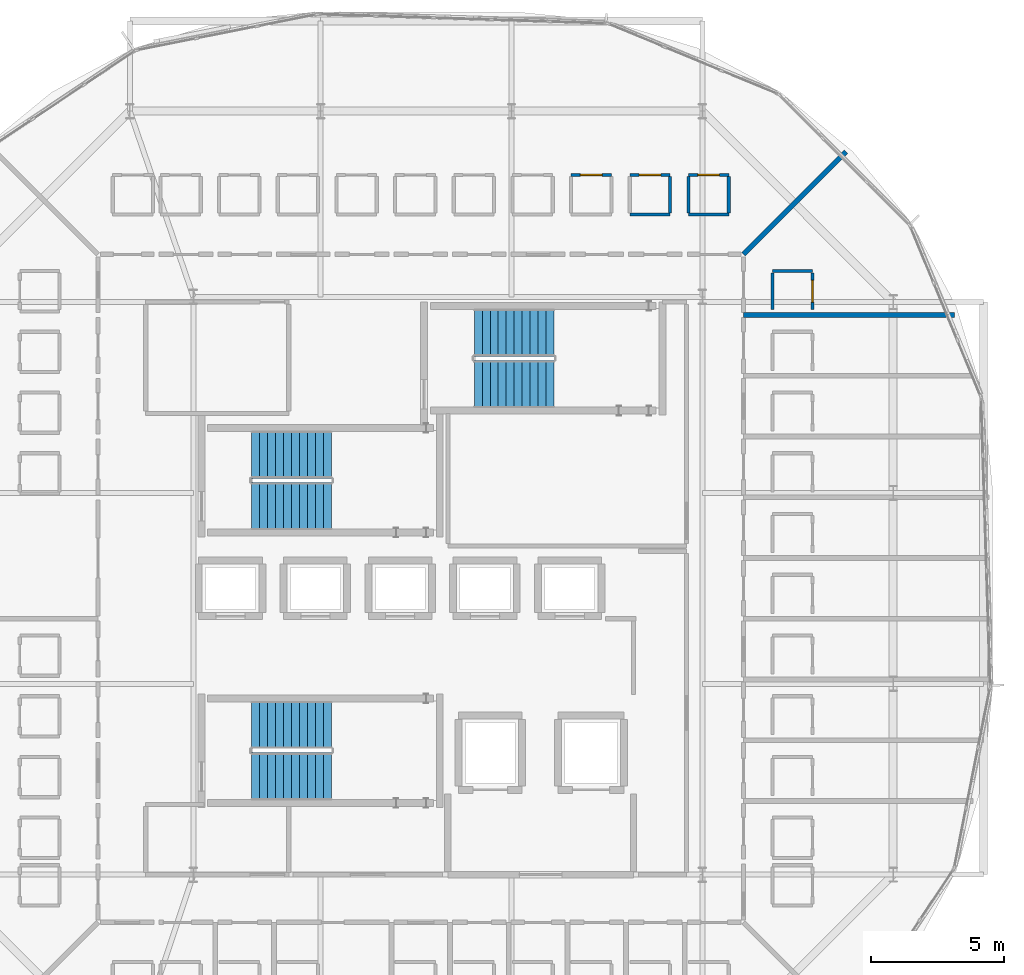
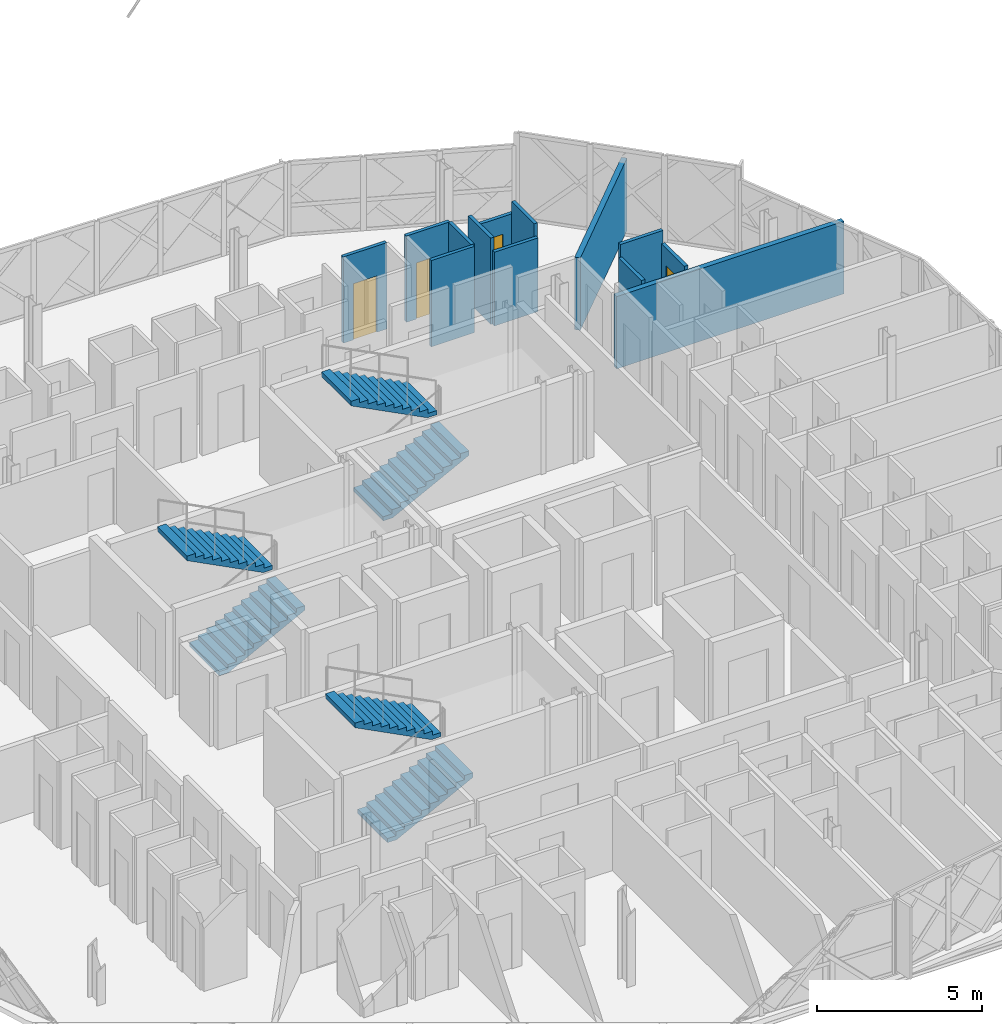
# One storey, part 45 of 50: 13 walls, 6 stair flights, 4 doors, 4 openings, 3 elements without a shape of their own.
"""IFC4 building model written with IfcOpenShell, lengths in metres."""

from ifc_helpers import new_model, si_unit, direction, frame, frame_2d, origin, place, context, subcontext, project, spatial, polyline, rectangle, outline, extrude, material, layer, layer_set, type_object, element, fill, aggregate, save


model = new_model("IFC4")

# Units and contexts
model_context = context("Model", 3, precision=1e-05, world=origin(), true_north=direction((0.0, 1.0)))
body_context = subcontext(model_context, "Body", "Model", "MODEL_VIEW")
ifc_project = project(units=[si_unit("LENGTHUNIT", "METRE"), si_unit("AREAUNIT", "SQUARE_METRE"), si_unit("VOLUMEUNIT", "CUBIC_METRE"), si_unit("PLANEANGLEUNIT", "RADIAN"), si_unit("MASSUNIT", "GRAM", prefix="KILO")], contexts=[model_context])

# Site, building, storey
site_placement = place(None, origin())
site = spatial("IfcSite", under=ifc_project, at=site_placement, CompositionType="ELEMENT")
building_placement = place(site_placement, origin())
building = spatial("IfcBuilding", under=site, at=building_placement, Name="Zevrakil Square Congress Hotel", CompositionType="ELEMENT")
storey_placement = place(building_placement, frame((0.0, 0.0, 21.5)))
storey = spatial("IfcBuildingStorey", under=building, at=storey_placement, Name="L06", CompositionType="ELEMENT", Elevation=21.5)

# Walls
ifc_material_1 = material(Name="Moisture-Resistant Gypsum Partition")
ifc_layer_1 = layer(ifc_material_1, 0.1201171875)
ifc_layer_set_1 = layer_set([ifc_layer_1], Name="Moisture-Resistant Gypsum Partition")
wall_type_1 = type_object("IfcWallType", Name="WAL-ENS-120", PredefinedType="PARTITIONING", material=ifc_layer_set_1)
wall_1_placement = place(storey_placement, frame((158.64990234375, 39.569091796875, 0.0), z_axis=(0.0, 0.0, 1.0), x_axis=(1.0, 0.0, 0.0)))
element("IfcWall", 1, at=wall_1_placement, inside=storey, type_object=wall_type_1, Name="L06 interior partition PW-L06-0813", PredefinedType="PARTITIONING", context=body_context, shape_type="SweptSolid", body=[
    extrude(rectangle(XDim=1.5, YDim=0.1201171875, at=frame_2d((0.75, 0.0))), origin(), (0.0, 0.0, 1.0), 3.195068359375),
])
wall_2_placement = place(storey_placement, frame((158.64990234375, 38.114013671875, 0.0), z_axis=(0.0, 0.0, 1.0), x_axis=(0.0, 1.0, 0.0)))
element("IfcWall", 2, at=wall_2_placement, inside=storey, type_object=wall_type_1, Name="L06 interior partition PW-L06-0814", PredefinedType="PARTITIONING", context=body_context, shape_type="SweptSolid", body=[
    extrude(rectangle(XDim=1.39013671875, YDim=0.1201171875, at=frame_2d((0.695068359375, 0.0))), origin(), (0.0, 0.0, 1.0), 2.72998046875),
])

# Wall, opening, door
wall_3_placement = place(storey_placement, frame((160.14990234375, 38.114013671875, 0.0), z_axis=(0.0, 0.0, 1.0), x_axis=(0.0, 1.0, 0.0)))
wall_3 = element("IfcWall", 3, at=wall_3_placement, inside=storey, type_object=wall_type_1, Name="L06 interior partition PW-L06-0815", PredefinedType="PARTITIONING", context=body_context, shape_type="SweptSolid", body=[
    extrude(rectangle(XDim=1.39013671875, YDim=0.1201171875, at=frame_2d((0.695068359375, 0.0))), origin(), (0.0, 0.0, 1.0), 2.72998046875),
])
opening_1_placement = place(wall_3_placement, frame((0.284912109375, 0.0, 0.0)))
opening_1 = element("IfcOpeningElement", 4, at=opening_1_placement, cuts=wall_3, Name="Opening ID-11", PredefinedType="OPENING", context=body_context, shape_type="SweptSolid", body=[
    extrude(rectangle(XDim=0.820068359375, YDim=2.080078125, at=frame_2d((0.41015625, 1.0400390625))), frame((0.0, 0.070068359375, 0.0), z_axis=(0.0, -1.0, 0.0), x_axis=(1.0, 0.0, 0.0)), (0.0, 0.0, 1.0), 0.14013671875),
])
ifc_material_2 = material(Name="Acoustic Timber Door", Category="wood")
door_type = type_object("IfcDoorType", Name="DOR-INT-V01", OperationType="NOTDEFINED", PredefinedType="DOOR", material=ifc_material_2)
door_1_placement = place(opening_1_placement, origin())
door_1 = element("IfcDoor", 5, at=door_1_placement, inside=storey, type_object=door_type, Name="L06 interior door 322", OperationType="SINGLE_SWING_RIGHT", OverallHeight=2.080078125, OverallWidth=0.820068359375, PredefinedType="DOOR", context=body_context, shape_type="SweptSolid", body=[
    extrude(rectangle(XDim=0.820068359375, YDim=2.080078125, at=frame_2d((0.41015625, 1.0400390625))), frame((0.0, 0.02490234375, 0.0), z_axis=(0.0, -1.0, 0.0), x_axis=(1.0, 0.0, 0.0)), (0.0, 0.0, 1.0), 0.050048828125),
])
fill(opening_1, door_1)

# Wall
wall_4_placement = place(storey_placement, frame((155.476318359375, 41.699951171875, 0.0), z_axis=(0.0, 0.0, 1.0), x_axis=(1.0, 0.0, 0.0)))
element("IfcWall", 6, at=wall_4_placement, inside=storey, type_object=wall_type_1, Name="L06 interior partition PW-L06-0818", PredefinedType="PARTITIONING", context=body_context, shape_type="SweptSolid", body=[
    extrude(rectangle(XDim=1.52001953125, YDim=0.1201171875, at=frame_2d((0.760009765625, 0.0))), origin(), (0.0, 0.0, 1.0), 2.72998046875),
])

# Wall, opening, door
wall_5_placement = place(storey_placement, frame((155.476318359375, 43.199951171875, 0.0), z_axis=(0.0, 0.0, 1.0), x_axis=(1.0, 0.0, 0.0)))
wall_5 = element("IfcWall", 7, at=wall_5_placement, inside=storey, type_object=wall_type_1, Name="L06 interior partition PW-L06-0819", PredefinedType="PARTITIONING", context=body_context, shape_type="SweptSolid", body=[
    extrude(rectangle(XDim=1.52001953125, YDim=0.1201171875, at=frame_2d((0.760009765625, 0.0))), origin(), (0.0, 0.0, 1.0), 2.72998046875),
])
opening_2_placement = place(wall_5_placement, frame((0.35009765625, 0.0, 0.0)))
opening_2 = element("IfcOpeningElement", 8, at=opening_2_placement, cuts=wall_5, Name="Opening ID-11", PredefinedType="OPENING", context=body_context, shape_type="SweptSolid", body=[
    extrude(rectangle(XDim=0.820068359375, YDim=2.080078125, at=frame_2d((0.41015625, 1.0400390625))), frame((0.0, 0.070068359375, 0.0), z_axis=(0.0, -1.0, 0.0), x_axis=(1.0, 0.0, 0.0)), (0.0, 0.0, 1.0), 0.14013671875),
])
door_2_placement = place(opening_2_placement, origin())
door_2 = element("IfcDoor", 9, at=door_2_placement, inside=storey, type_object=door_type, Name="L06 interior door 324", OperationType="SINGLE_SWING_RIGHT", OverallHeight=2.080078125, OverallWidth=0.820068359375, PredefinedType="DOOR", context=body_context, shape_type="SweptSolid", body=[
    extrude(rectangle(XDim=0.820068359375, YDim=2.080078125, at=frame_2d((0.41015625, 1.0400390625))), frame((0.0, 0.02490234375, 0.0), z_axis=(0.0, -1.0, 0.0), x_axis=(1.0, 0.0, 0.0)), (0.0, 0.0, 1.0), 0.050048828125),
])
fill(opening_2, door_2)

# Walls
for number, where, z_axis, x_axis, name in (
    (10, (155.476318359375, 41.764892578125, 0.0), (0.0, 0.0, 1.0), (0.0, 1.0, 0.0), "L06 interior partition PW-L06-0820"),
    (11, (156.996337890625, 41.764892578125, 0.0), (0.0, 0.0, 1.0), (0.0, 1.0, 0.0), "L06 interior partition PW-L06-0821"),
):
    element("IfcWall", number, at=place(storey_placement, frame(where, z_axis=z_axis, x_axis=x_axis)), inside=storey, type_object=wall_type_1, Name=name, PredefinedType="PARTITIONING", context=body_context, shape_type="SweptSolid", body=[
        extrude(rectangle(XDim=1.3701171875, YDim=0.1201171875, at=frame_2d((0.68505859375, 0.0))), origin(), (0.0, 0.0, 1.0), 3.195068359375),
    ])
wall_6_placement = place(storey_placement, frame((153.2626953125, 41.699951171875, 0.0), z_axis=(0.0, 0.0, 1.0), x_axis=(1.0, 0.0, 0.0)))
element("IfcWall", 12, at=wall_6_placement, inside=storey, type_object=wall_type_1, Name="L06 interior partition PW-L06-0823", PredefinedType="PARTITIONING", context=body_context, shape_type="SweptSolid", body=[
    extrude(rectangle(XDim=1.52001953125, YDim=0.1201171875, at=frame_2d((0.760009765625, 0.0))), origin(), (0.0, 0.0, 1.0), 3.195068359375),
])

# Wall, opening, door
wall_7_placement = place(storey_placement, frame((153.2626953125, 43.199951171875, 0.0), z_axis=(0.0, 0.0, 1.0), x_axis=(1.0, 0.0, 0.0)))
wall_7 = element("IfcWall", 13, at=wall_7_placement, inside=storey, type_object=wall_type_1, Name="L06 interior partition PW-L06-0824", PredefinedType="PARTITIONING", context=body_context, shape_type="SweptSolid", body=[
    extrude(rectangle(XDim=1.52001953125, YDim=0.1201171875, at=frame_2d((0.760009765625, 0.0))), origin(), (0.0, 0.0, 1.0), 3.195068359375),
])
opening_3_placement = place(wall_7_placement, frame((0.35009765625, 0.0, 0.0)))
opening_3 = element("IfcOpeningElement", 14, at=opening_3_placement, cuts=wall_7, Name="Opening ID-11", PredefinedType="OPENING", context=body_context, shape_type="SweptSolid", body=[
    extrude(rectangle(XDim=0.820068359375, YDim=2.080078125, at=frame_2d((0.41015625, 1.0400390625))), frame((0.0, 0.070068359375, 0.0), z_axis=(0.0, -1.0, 0.0), x_axis=(1.0, 0.0, 0.0)), (0.0, 0.0, 1.0), 0.14013671875),
])
door_3_placement = place(opening_3_placement, origin())
door_3 = element("IfcDoor", 15, at=door_3_placement, inside=storey, type_object=door_type, Name="L06 interior door 326", OperationType="SINGLE_SWING_RIGHT", OverallHeight=2.080078125, OverallWidth=0.820068359375, PredefinedType="DOOR", context=body_context, shape_type="SweptSolid", body=[
    extrude(rectangle(XDim=0.820068359375, YDim=2.080078125, at=frame_2d((0.41015625, 1.0400390625))), frame((0.0, 0.02490234375, 0.0), z_axis=(0.0, -1.0, 0.0), x_axis=(1.0, 0.0, 0.0)), (0.0, 0.0, 1.0), 0.050048828125),
])
fill(opening_3, door_3)

# Wall
wall_8_placement = place(storey_placement, frame((154.78271484375, 41.764892578125, 0.0), z_axis=(0.0, 0.0, 1.0), x_axis=(0.0, 1.0, 0.0)))
element("IfcWall", 16, at=wall_8_placement, inside=storey, type_object=wall_type_1, Name="L06 interior partition PW-L06-0826", PredefinedType="PARTITIONING", context=body_context, shape_type="SweptSolid", body=[
    extrude(rectangle(XDim=1.3701171875, YDim=0.1201171875, at=frame_2d((0.68505859375, 0.0))), origin(), (0.0, 0.0, 1.0), 3.195068359375),
])

# Wall, opening, door
wall_9_placement = place(storey_placement, frame((151.049072265625, 43.199951171875, 0.0), z_axis=(0.0, 0.0, 1.0), x_axis=(1.0, 0.0, 0.0)))
wall_9 = element("IfcWall", 17, at=wall_9_placement, inside=storey, type_object=wall_type_1, Name="L06 interior partition PW-L06-0829", PredefinedType="PARTITIONING", context=body_context, shape_type="SweptSolid", body=[
    extrude(rectangle(XDim=1.52001953125, YDim=0.1201171875, at=frame_2d((0.760009765625, 0.0))), origin(), (0.0, 0.0, 1.0), 3.195068359375),
])
opening_4_placement = place(wall_9_placement, frame((0.35009765625, 0.0, 0.0)))
opening_4 = element("IfcOpeningElement", 18, at=opening_4_placement, cuts=wall_9, Name="Opening ID-11", PredefinedType="OPENING", context=body_context, shape_type="SweptSolid", body=[
    extrude(rectangle(XDim=0.820068359375, YDim=2.080078125, at=frame_2d((0.41015625, 1.0400390625))), frame((0.0, 0.070068359375, 0.0), z_axis=(0.0, -1.0, 0.0), x_axis=(1.0, 0.0, 0.0)), (0.0, 0.0, 1.0), 0.14013671875),
])
door_4_placement = place(opening_4_placement, origin())
door_4 = element("IfcDoor", 19, at=door_4_placement, inside=storey, type_object=door_type, Name="L06 interior door 328", OperationType="SINGLE_SWING_RIGHT", OverallHeight=2.080078125, OverallWidth=0.820068359375, PredefinedType="DOOR", context=body_context, shape_type="SweptSolid", body=[
    extrude(rectangle(XDim=0.820068359375, YDim=2.080078125, at=frame_2d((0.41015625, 1.0400390625))), frame((0.0, 0.02490234375, 0.0), z_axis=(0.0, -1.0, 0.0), x_axis=(1.0, 0.0, 0.0)), (0.0, 0.0, 1.0), 0.050048828125),
])
fill(opening_4, door_4)

# Walls
ifc_material_3 = material(Name="Gypsum Twin-Stud Party Partition")
ifc_layer_2 = layer(ifc_material_3, 0.179931640625)
ifc_layer_set_2 = layer_set([ifc_layer_2], Name="Gypsum Twin-Stud Party Partition")
wall_type_2 = type_object("IfcWallType", Name="WAL-PARTY-180", PredefinedType="PARTITIONING", material=ifc_layer_set_2)
wall_10_placement = place(storey_placement, frame((157.550048828125, 37.9091796875, 0.0), z_axis=(0.0, 0.0, 1.0), x_axis=(1.0, 0.0, 0.0)))
element("IfcWall", 20, at=wall_10_placement, inside=storey, type_object=wall_type_2, Name="L06 interior partition PW-L06-0811", PredefinedType="PARTITIONING", context=body_context, shape_type="SweptSolid", body=[
    extrude(rectangle(XDim=7.965576171875, YDim=0.179931640625, at=frame_2d((3.98291015625, 0.0))), origin(), (0.0, 0.0, 1.0), 2.679931640625),
])
wall_11_placement = place(storey_placement, frame((157.550048828125, 40.199951171875, 0.0), z_axis=(0.0, 0.0, 1.0), x_axis=(0.707106781187, 0.707106781187, 0.0)))
element("IfcWall", 21, at=wall_11_placement, inside=storey, type_object=wall_type_2, Name="L06 interior partition PW-L06-0816", PredefinedType="PARTITIONING", context=body_context, shape_type="SweptSolid", body=[
    extrude(rectangle(XDim=5.474609375, YDim=0.179931640625, at=frame_2d((2.7373046875, 0.0))), origin(), (0.0, 0.0, 1.0), 2.679931640625),
])

# Stair, stair flights
ifc_material_4 = material(Name="Concrete C35/45", Category="concrete")
stair_type = type_object("IfcStairType", Name="STR-DOGLEG-180", PredefinedType="HALF_TURN_STAIR", material=ifc_material_4)
stair_1_placement = place(storey_placement, origin())
stair_1 = element("IfcStair", 22, at=stair_1_placement, inside=storey, type_object=stair_type, Name="L06 Protected exit stair ST01", PredefinedType="HALF_TURN_STAIR")
ifc_material_5 = material(Name="Concrete C35/45", Category="concrete")
ifc_layer_3 = layer(ifc_material_5, 0.159912109375)
ifc_layer_set_3 = layer_set([ifc_layer_3], Name="Concrete C35/45")
stair_flight_type = type_object("IfcStairFlightType", Name="SFL-STRAIGHT-180", PredefinedType="STRAIGHT", material=ifc_layer_set_3)
stair_flight_1_placement = place(storey_placement, frame((139.0, 20.5, 0.0), z_axis=(0.0, 0.0, 1.0), x_axis=(1.0, 0.0, 0.0)))
stair_flight_1 = element("IfcStairFlight", 23, at=stair_flight_1_placement, type_object=stair_flight_type, Name="ST01 flight 1", NumberOfRisers=11, NumberOfTreads=10, PredefinedType="STRAIGHT", RiserHeight=0.154545455, TreadLength=0.3, context=body_context, shape_type="SweptSolid", body=[
    extrude(outline(polyline([(0.0, 0.0), (0.0, 0.154541015625), (0.300048828125, 0.154541015625), (0.300048828125, 0.30908203125), (0.60009765625, 0.30908203125), (0.60009765625, 0.463623046875), (0.89990234375, 0.463623046875), (0.89990234375, 0.6181640625), (1.199951171875, 0.6181640625), (1.199951171875, 0.772705078125), (1.5, 0.772705078125), (1.5, 0.92724609375), (1.800048828125, 0.92724609375), (1.800048828125, 1.081787109375), (2.10009765625, 1.081787109375), (2.10009765625, 1.236328125), (2.39990234375, 1.236328125), (2.39990234375, 1.390869140625), (2.699951171875, 1.390869140625), (2.699951171875, 1.54541015625), (3.0, 1.54541015625), (3.0, 1.699951171875), (3.0, 1.376708984375), (0.327392578125, 0.0), (0.0, 0.0)])), frame((0.0, 0.89990234375, 0.0), z_axis=(0.0, -1.0, 0.0), x_axis=(1.0, 0.0, 0.0)), (0.0, 0.0, 1.0), 1.800048828125),
])
stair_flight_2_placement = place(storey_placement, frame((142.0, 22.449951171875, 1.699951171875), z_axis=(0.0, 0.0, 1.0), x_axis=(-1.0, 0.0, 0.0)))
stair_flight_2 = element("IfcStairFlight", 24, at=stair_flight_2_placement, type_object=stair_flight_type, Name="ST01 flight 2", NumberOfRisers=11, NumberOfTreads=10, PredefinedType="STRAIGHT", RiserHeight=0.154545455, TreadLength=0.3, context=body_context, shape_type="SweptSolid", body=[
    extrude(outline(polyline([(0.0, 0.0), (0.0, 0.154541015625), (0.300048828125, 0.154541015625), (0.300048828125, 0.30908203125), (0.60009765625, 0.30908203125), (0.60009765625, 0.463623046875), (0.89990234375, 0.463623046875), (0.89990234375, 0.6181640625), (1.199951171875, 0.6181640625), (1.199951171875, 0.772705078125), (1.5, 0.772705078125), (1.5, 0.92724609375), (1.800048828125, 0.92724609375), (1.800048828125, 1.081787109375), (2.10009765625, 1.081787109375), (2.10009765625, 1.236328125), (2.39990234375, 1.236328125), (2.39990234375, 1.390869140625), (2.699951171875, 1.390869140625), (2.699951171875, 1.54541015625), (3.0, 1.54541015625), (3.0, 1.699951171875), (3.0, 1.376708984375), (0.327392578125, 0.0), (0.0, 0.0)])), frame((0.0, 0.89990234375, 0.0), z_axis=(0.0, -1.0, 0.0), x_axis=(1.0, 0.0, 0.0)), (0.0, 0.0, 1.0), 1.800048828125),
])
aggregate(stair_1, [stair_flight_1, stair_flight_2])

stair_2_placement = place(storey_placement, origin())
stair_2 = element("IfcStair", 25, at=stair_2_placement, inside=storey, type_object=stair_type, Name="L06 Protected exit stair ST02", PredefinedType="HALF_TURN_STAIR")
stair_flight_3_placement = place(storey_placement, frame((139.0, 30.699951171875, 0.0), z_axis=(0.0, 0.0, 1.0), x_axis=(1.0, 0.0, 0.0)))
stair_flight_3 = element("IfcStairFlight", 26, at=stair_flight_3_placement, type_object=stair_flight_type, Name="ST02 flight 1", NumberOfRisers=11, NumberOfTreads=10, PredefinedType="STRAIGHT", RiserHeight=0.154545455, TreadLength=0.3, context=body_context, shape_type="SweptSolid", body=[
    extrude(outline(polyline([(0.0, 0.0), (0.0, 0.154541015625), (0.300048828125, 0.154541015625), (0.300048828125, 0.30908203125), (0.60009765625, 0.30908203125), (0.60009765625, 0.463623046875), (0.89990234375, 0.463623046875), (0.89990234375, 0.6181640625), (1.199951171875, 0.6181640625), (1.199951171875, 0.772705078125), (1.5, 0.772705078125), (1.5, 0.92724609375), (1.800048828125, 0.92724609375), (1.800048828125, 1.081787109375), (2.10009765625, 1.081787109375), (2.10009765625, 1.236328125), (2.39990234375, 1.236328125), (2.39990234375, 1.390869140625), (2.699951171875, 1.390869140625), (2.699951171875, 1.54541015625), (3.0, 1.54541015625), (3.0, 1.699951171875), (3.0, 1.376708984375), (0.327392578125, 0.0), (0.0, 0.0)])), frame((0.0, 0.89990234375, 0.0), z_axis=(0.0, -1.0, 0.0), x_axis=(1.0, 0.0, 0.0)), (0.0, 0.0, 1.0), 1.800048828125),
])
stair_flight_4_placement = place(storey_placement, frame((142.0, 32.64990234375, 1.699951171875), z_axis=(0.0, 0.0, 1.0), x_axis=(-1.0, 0.0, 0.0)))
stair_flight_4 = element("IfcStairFlight", 27, at=stair_flight_4_placement, type_object=stair_flight_type, Name="ST02 flight 2", NumberOfRisers=11, NumberOfTreads=10, PredefinedType="STRAIGHT", RiserHeight=0.154545455, TreadLength=0.3, context=body_context, shape_type="SweptSolid", body=[
    extrude(outline(polyline([(0.0, 0.0), (0.0, 0.154541015625), (0.300048828125, 0.154541015625), (0.300048828125, 0.30908203125), (0.60009765625, 0.30908203125), (0.60009765625, 0.463623046875), (0.89990234375, 0.463623046875), (0.89990234375, 0.6181640625), (1.199951171875, 0.6181640625), (1.199951171875, 0.772705078125), (1.5, 0.772705078125), (1.5, 0.92724609375), (1.800048828125, 0.92724609375), (1.800048828125, 1.081787109375), (2.10009765625, 1.081787109375), (2.10009765625, 1.236328125), (2.39990234375, 1.236328125), (2.39990234375, 1.390869140625), (2.699951171875, 1.390869140625), (2.699951171875, 1.54541015625), (3.0, 1.54541015625), (3.0, 1.699951171875), (3.0, 1.376708984375), (0.327392578125, 0.0), (0.0, 0.0)])), frame((0.0, 0.89990234375, 0.0), z_axis=(0.0, -1.0, 0.0), x_axis=(1.0, 0.0, 0.0)), (0.0, 0.0, 1.0), 1.800048828125),
])
aggregate(stair_2, [stair_flight_3, stair_flight_4])

stair_3_placement = place(storey_placement, origin())
stair_3 = element("IfcStair", 28, at=stair_3_placement, inside=storey, type_object=stair_type, Name="L06 Protected exit stair ST03", PredefinedType="HALF_TURN_STAIR")
stair_flight_5_placement = place(storey_placement, frame((147.39990234375, 35.300048828125, 0.0), z_axis=(0.0, 0.0, 1.0), x_axis=(1.0, 0.0, 0.0)))
stair_flight_5 = element("IfcStairFlight", 29, at=stair_flight_5_placement, type_object=stair_flight_type, Name="ST03 flight 1", NumberOfRisers=11, NumberOfTreads=10, PredefinedType="STRAIGHT", RiserHeight=0.154545455, TreadLength=0.3, context=body_context, shape_type="SweptSolid", body=[
    extrude(outline(polyline([(0.0, 0.0), (0.0, 0.154541015625), (0.300048828125, 0.154541015625), (0.300048828125, 0.30908203125), (0.60009765625, 0.30908203125), (0.60009765625, 0.463623046875), (0.89990234375, 0.463623046875), (0.89990234375, 0.6181640625), (1.199951171875, 0.6181640625), (1.199951171875, 0.772705078125), (1.5, 0.772705078125), (1.5, 0.92724609375), (1.800048828125, 0.92724609375), (1.800048828125, 1.081787109375), (2.10009765625, 1.081787109375), (2.10009765625, 1.236328125), (2.39990234375, 1.236328125), (2.39990234375, 1.390869140625), (2.699951171875, 1.390869140625), (2.699951171875, 1.54541015625), (3.0, 1.54541015625), (3.0, 1.699951171875), (3.0, 1.376708984375), (0.327392578125, 0.0), (0.0, 0.0)])), frame((0.0, 0.89990234375, 0.0), z_axis=(0.0, -1.0, 0.0), x_axis=(1.0, 0.0, 0.0)), (0.0, 0.0, 1.0), 1.800048828125),
])
stair_flight_6_placement = place(storey_placement, frame((150.39990234375, 37.25, 1.699951171875), z_axis=(0.0, 0.0, 1.0), x_axis=(-1.0, 0.0, 0.0)))
stair_flight_6 = element("IfcStairFlight", 30, at=stair_flight_6_placement, type_object=stair_flight_type, Name="ST03 flight 2", NumberOfRisers=11, NumberOfTreads=10, PredefinedType="STRAIGHT", RiserHeight=0.154545455, TreadLength=0.3, context=body_context, shape_type="SweptSolid", body=[
    extrude(outline(polyline([(0.0, 0.0), (0.0, 0.154541015625), (0.300048828125, 0.154541015625), (0.300048828125, 0.30908203125), (0.60009765625, 0.30908203125), (0.60009765625, 0.463623046875), (0.89990234375, 0.463623046875), (0.89990234375, 0.6181640625), (1.199951171875, 0.6181640625), (1.199951171875, 0.772705078125), (1.5, 0.772705078125), (1.5, 0.92724609375), (1.800048828125, 0.92724609375), (1.800048828125, 1.081787109375), (2.10009765625, 1.081787109375), (2.10009765625, 1.236328125), (2.39990234375, 1.236328125), (2.39990234375, 1.390869140625), (2.699951171875, 1.390869140625), (2.699951171875, 1.54541015625), (3.0, 1.54541015625), (3.0, 1.699951171875), (3.0, 1.376708984375), (0.327392578125, 0.0), (0.0, 0.0)])), frame((0.0, 0.89990234375, 0.0), z_axis=(0.0, -1.0, 0.0), x_axis=(1.0, 0.0, 0.0)), (0.0, 0.0, 1.0), 1.800048828125),
])
aggregate(stair_3, [stair_flight_5, stair_flight_6])

save(model, "model.ifc")
